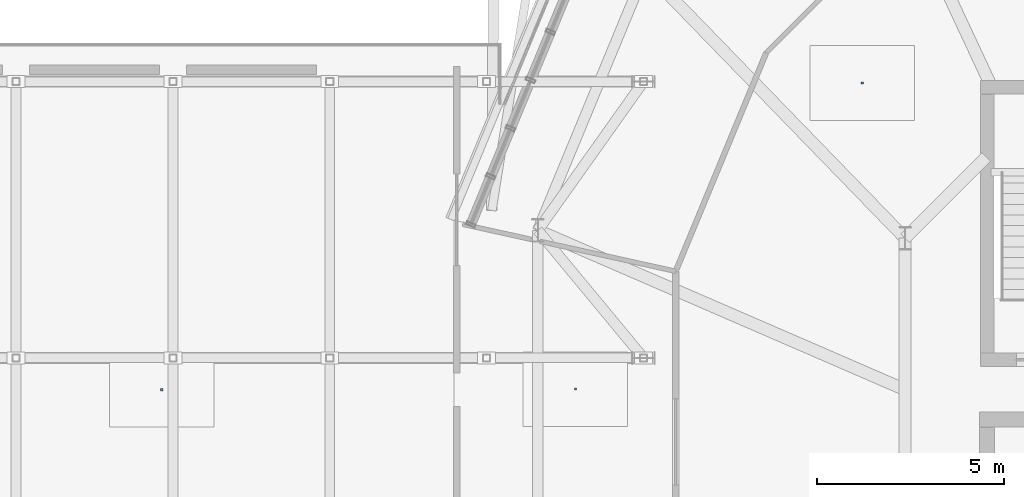
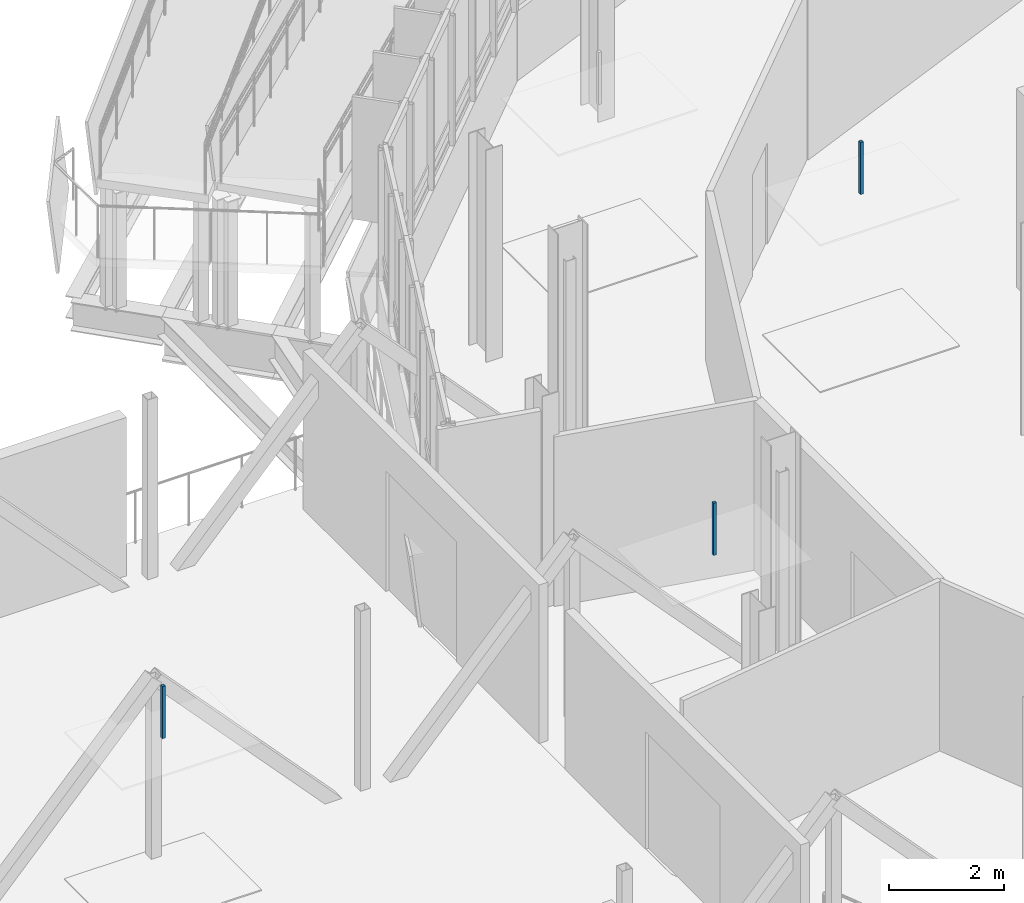
# One storey, part 118 of 139: 3 discrete accessories.
"""IFC4 building model written with IfcOpenShell, lengths in metres."""

from ifc_helpers import new_model, si_unit, derived_unit, direction, frame, origin, origin_2d, place, context, subcontext, project, spatial, rectangle, extrude, material, layer, layer_set, type_object, element, save


model = new_model("IFC4")

# Units and contexts
model_context = context("Model", 3, precision=1e-05, world=origin(), true_north=direction((0.0, 1.0)))
body_context = subcontext(model_context, "Body", "Model", "MODEL_VIEW")
ifc_project = project(units=[si_unit("LENGTHUNIT", "METRE"), si_unit("AREAUNIT", "SQUARE_METRE"), si_unit("VOLUMEUNIT", "CUBIC_METRE"), si_unit("PLANEANGLEUNIT", "RADIAN"), si_unit("MASSUNIT", "GRAM", prefix="KILO"), derived_unit("THERMALTRANSMITTANCEUNIT", [(si_unit("MASSUNIT", "GRAM", prefix="KILO"), 1), (si_unit("TIMEUNIT", "SECOND"), -3), (si_unit("THERMODYNAMICTEMPERATUREUNIT", "KELVIN"), -1)])], contexts=[model_context])

# Site, building, storey
site_placement = place(None, origin())
site = spatial("IfcSite", under=ifc_project, at=site_placement, CompositionType="ELEMENT")
building_placement = place(site_placement, origin())
building = spatial("IfcBuilding", under=site, at=building_placement, Name="Makaiwela Harbour Ferry Terminal", CompositionType="ELEMENT")
storey_placement = place(building_placement, frame((0.0, 0.0, 5.10009765625)))
storey = spatial("IfcBuildingStorey", under=building, at=storey_placement, Name="L01", CompositionType="ELEMENT", Elevation=5.10009765625)

# Discrete accessories
ifc_material = material(Name="Marine grade 316L brushed stainless steel", Category="steel")
ifc_layer = layer(ifc_material, 1.0)
ifc_layer_set = layer_set([ifc_layer], Name="Marine grade 316L brushed stainless steel")
discrete_accessory_type = type_object("IfcDiscreteAccessoryType", Name="INT-ACC-HNG", PredefinedType="BRACKET", material=ifc_layer_set)
for number, where, z_axis, x_axis, name in (
    (1, (26.859375, 75.814697265625, 3.134765625), (0.0, 0.0, 1.0), (1.0, 0.0, 0.0), "Ceiling Suspension Bracket HNG-026"),
    (2, (19.177490234375, 67.6162109375, 3.134765625), (0.0, 0.0, 1.0), (1.0, 0.0, 0.0), "Ceiling Suspension Bracket HNG-029"),
    (3, (8.10009765625, 67.60009765625, 3.134765625), (0.0, 0.0, 1.0), (1.0, 0.0, 0.0), "Ceiling Suspension Bracket HNG-033"),
):
    element("IfcDiscreteAccessory", number, at=place(storey_placement, frame(where, z_axis=z_axis, x_axis=x_axis)), inside=storey, type_object=discrete_accessory_type, Name=name, PredefinedType="BRACKET", context=body_context, shape_type="SweptSolid", body=[
        extrude(rectangle(XDim=0.06005859375, YDim=0.06005859375, at=origin_2d()), origin(), (0.0, 0.0, 1.0), 1.110107421875),
    ])

save(model, "model.ifc")
